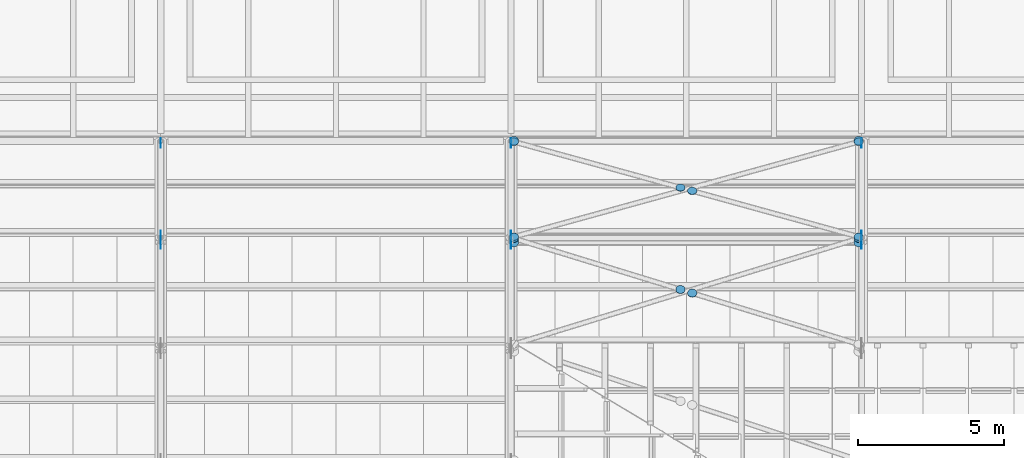
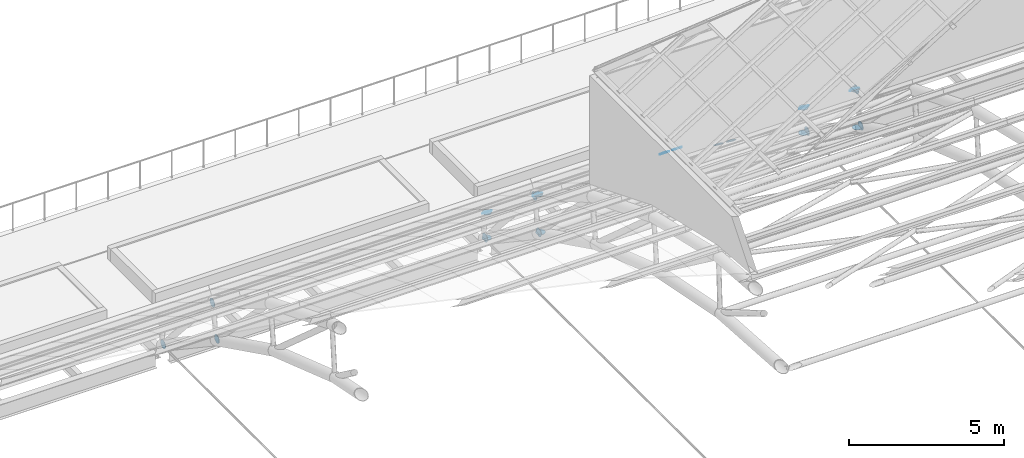
# One storey, part 94 of 110: 27 discrete accessories.
"""IFC4 building model written with IfcOpenShell, lengths in metres."""

from ifc_helpers import new_model, si_unit, direction, frame, origin, origin_2d, place, context, subcontext, project, spatial, circle, extrude, material, layer, layer_set, type_object, element, save


model = new_model("IFC4")

# Units and contexts
model_context = context("Model", 3, precision=1e-05, world=origin(), true_north=direction((0.0, 1.0)))
body_context = subcontext(model_context, "Body", "Model", "MODEL_VIEW")
ifc_project = project(units=[si_unit("LENGTHUNIT", "METRE"), si_unit("AREAUNIT", "SQUARE_METRE"), si_unit("VOLUMEUNIT", "CUBIC_METRE"), si_unit("PLANEANGLEUNIT", "RADIAN"), si_unit("MASSUNIT", "GRAM", prefix="KILO")], contexts=[model_context])

# Site, building, storey
site_placement = place(None, origin())
site = spatial("IfcSite", under=ifc_project, at=site_placement, CompositionType="ELEMENT")
building_placement = place(site_placement, origin())
building = spatial("IfcBuilding", under=site, at=building_placement, Name="Windward Yard Aquatics Centre", CompositionType="ELEMENT")
storey_placement = place(building_placement, frame((0.0, 0.0, 22.60009765625)))
storey = spatial("IfcBuildingStorey", under=building, at=storey_placement, Name="L05", CompositionType="ELEMENT", Elevation=22.60009765625)

# Discrete accessories
ifc_material = material(Name="Steel S355", Category="steel")
ifc_layer = layer(ifc_material, 0.011962890625)
ifc_layer_set = layer_set([ifc_layer], Name="Gusset plate 320 mm disc 12 mm")
discrete_accessory_type = type_object("IfcDiscreteAccessoryType", Name="Gusset plate 320 mm disc 12 mm", PredefinedType="USERDEFINED", material=ifc_layer_set)
for number, where, z_axis, x_axis, name in (
    (1, (83.993896484375, 76.865234375, 2.390869140625), (1.0, 0.0, 0.0), (0.0, 1.0, 0.0), "Gusset plate"),
    (2, (83.993896484375, 77.158935546875, 3.64306640625), (1.0, 0.0, 0.0), (0.0, 1.0, 0.0), "Gusset plate"),
    (3, (83.993896484375, 80.33349609375, 0.07470703125), (1.0, 0.0, 0.0), (0.0, 1.0, 0.0), "Gusset plate"),
    (4, (95.993896484375, 76.865234375, 2.390869140625), (1.0, 0.0, 0.0), (0.0, 1.0, 0.0), "Gusset plate"),
    (5, (95.993896484375, 77.158935546875, 3.64306640625), (1.0, 0.0, 0.0), (0.0, 1.0, 0.0), "Gusset plate"),
    (6, (95.993896484375, 80.33349609375, 0.07470703125), (1.0, 0.0, 0.0), (0.0, 1.0, 0.0), "Gusset plate"),
    (7, (107.993896484375, 76.865234375, 2.390869140625), (1.0, 0.0, 0.0), (0.0, 1.0, 0.0), "Gusset plate"),
    (8, (107.993896484375, 77.158935546875, 3.64306640625), (1.0, 0.0, 0.0), (0.0, 1.0, 0.0), "Gusset plate"),
    (9, (107.993896484375, 80.33349609375, 0.07470703125), (1.0, 0.0, 0.0), (0.0, 1.0, 0.0), "Gusset plate"),
):
    element("IfcDiscreteAccessory", number, at=place(storey_placement, frame(where, z_axis=z_axis, x_axis=x_axis)), inside=storey, type_object=discrete_accessory_type, Name=name, ObjectType="GUSSET PLATE", PredefinedType="USERDEFINED", context=body_context, shape_type="SweptSolid", body=[
        extrude(circle(Radius=0.159912109375, at=origin_2d()), origin(), (0.0, 0.0, 1.0), 0.01220703125),
    ])
for number, where, z_axis, x_axis, name in (
    (10, (96.10009765625, 77.092529296875, 3.7119140625), (0.0, 0.0, 1.0), (1.0, 0.0, 0.0), "Gusset plate"),
    (11, (107.89990234375, 77.092529296875, 3.7119140625), (0.0, 0.0, 1.0), (1.0, 0.0, 0.0), "Gusset plate"),
    (12, (96.10009765625, 80.39990234375, 0.993896484375), (0.0, 0.0, 1.0), (1.0, 0.0, 0.0), "Gusset plate"),
    (13, (107.89990234375, 80.39990234375, 0.993896484375), (0.0, 0.0, 1.0), (1.0, 0.0, 0.0), "Gusset plate"),
):
    element("IfcDiscreteAccessory", number, at=place(storey_placement, frame(where, z_axis=z_axis, x_axis=x_axis)), inside=storey, type_object=discrete_accessory_type, Name=name, ObjectType="GUSSET PLATE", PredefinedType="USERDEFINED", context=body_context, shape_type="SweptSolid", body=[
        extrude(circle(Radius=0.159912109375, at=origin_2d()), origin(), (0.0, 0.0, 1.0), 0.011962890625),
    ])
for number, where, z_axis, x_axis, name in (
    (14, (107.90576171875, 77.066650390625, 3.740234375), (0.0, -0.502620457375, -0.864507186684), (1.0, 0.0, 0.0), "Gusset plate"),
    (15, (96.09423828125, 77.066650390625, 3.740234375), (0.0, -0.502620457375, -0.864507186684), (1.0, 0.0, 0.0), "Gusset plate"),
):
    element("IfcDiscreteAccessory", number, at=place(storey_placement, frame(where, z_axis=z_axis, x_axis=x_axis)), inside=storey, type_object=discrete_accessory_type, Name=name, ObjectType="GUSSET PLATE", PredefinedType="USERDEFINED", context=body_context, shape_type="SweptSolid", body=[
        extrude(circle(Radius=0.159912109375, at=origin_2d()), origin(), (0.0, 0.0, 1.0), 0.01220703125),
    ])
discrete_accessory_1_placement = place(storey_placement, frame((101.79931640625, 75.315673828125, 4.77783203125), z_axis=(0.0, -0.511483859768, -0.85929288441), x_axis=(1.0, 0.0, 0.0)))
element("IfcDiscreteAccessory", 16, at=discrete_accessory_1_placement, inside=storey, type_object=discrete_accessory_type, Name="Gusset plate", ObjectType="GUSSET PLATE", PredefinedType="USERDEFINED", context=body_context, shape_type="SweptSolid", body=[
    extrude(circle(Radius=0.159912109375, at=origin_2d()), origin(), (0.0, 0.0, 1.0), 0.011962890625),
])
for number, where, z_axis, x_axis, name in (
    (17, (102.20068359375, 75.192626953125, 4.850830078125), (0.0, -0.502620457375, -0.864507186684), (1.0, 0.0, 0.0), "Gusset plate"),
    (18, (96.09423828125, 77.122314453125, 3.701171875), (0.0, -0.644135745783, -0.764911198117), (1.0, 0.0, 0.0), "Gusset plate"),
    (19, (107.90576171875, 80.3779296875, 1.02587890625), (0.0, -0.644135745783, -0.764911198117), (1.0, 0.0, 0.0), "Gusset plate"),
    (20, (96.09423828125, 80.3779296875, 1.02587890625), (0.0, -0.644135745783, -0.764911198117), (1.0, 0.0, 0.0), "Gusset plate"),
    (21, (101.79931640625, 78.805419921875, 2.318115234375), (0.0, -0.644135745783, -0.764911198117), (1.0, 0.0, 0.0), "Gusset plate"),
):
    element("IfcDiscreteAccessory", number, at=place(storey_placement, frame(where, z_axis=z_axis, x_axis=x_axis)), inside=storey, type_object=discrete_accessory_type, Name=name, ObjectType="GUSSET PLATE", PredefinedType="USERDEFINED", context=body_context, shape_type="SweptSolid", body=[
        extrude(circle(Radius=0.159912109375, at=origin_2d()), origin(), (0.0, 0.0, 1.0), 0.01220703125),
    ])
discrete_accessory_2_placement = place(storey_placement, frame((102.20068359375, 78.69482421875, 2.408935546875), z_axis=(0.0, -0.632126727472, -0.774865020772), x_axis=(1.0, 0.0, 0.0)))
element("IfcDiscreteAccessory", 22, at=discrete_accessory_2_placement, inside=storey, type_object=discrete_accessory_type, Name="Gusset plate", ObjectType="GUSSET PLATE", PredefinedType="USERDEFINED", context=body_context, shape_type="SweptSolid", body=[
    extrude(circle(Radius=0.159912109375, at=origin_2d()), origin(), (0.0, 0.0, 1.0), 0.011962890625),
])
discrete_accessory_3_placement = place(storey_placement, frame((107.90576171875, 77.122314453125, 3.701171875), z_axis=(0.0, -0.644135745783, -0.764911198117), x_axis=(1.0, 0.0, 0.0)))
element("IfcDiscreteAccessory", 23, at=discrete_accessory_3_placement, inside=storey, type_object=discrete_accessory_type, Name="Gusset plate", ObjectType="GUSSET PLATE", PredefinedType="USERDEFINED", context=body_context, shape_type="SweptSolid", body=[
    extrude(circle(Radius=0.159912109375, at=origin_2d()), origin(), (0.0, 0.0, 1.0), 0.01220703125),
])
for number, where, z_axis, x_axis, name in (
    (24, (96.10009765625, 76.935302734375, 2.313720703125), (0.0, 0.0, 1.0), (1.0, 0.0, 0.0), "Gusset plate"),
    (25, (107.89990234375, 76.935302734375, 2.313720703125), (0.0, 0.0, 1.0), (1.0, 0.0, 0.0), "Gusset plate"),
    (26, (96.10009765625, 80.39990234375, -0.006103515625), (0.0, 0.0, 1.0), (1.0, 0.0, 0.0), "Gusset plate"),
    (27, (107.89990234375, 80.39990234375, -0.006103515625), (0.0, 0.0, 1.0), (1.0, 0.0, 0.0), "Gusset plate"),
):
    element("IfcDiscreteAccessory", number, at=place(storey_placement, frame(where, z_axis=z_axis, x_axis=x_axis)), inside=storey, type_object=discrete_accessory_type, Name=name, ObjectType="GUSSET PLATE", PredefinedType="USERDEFINED", context=body_context, shape_type="SweptSolid", body=[
        extrude(circle(Radius=0.159912109375, at=origin_2d()), origin(), (0.0, 0.0, 1.0), 0.011962890625),
    ])

save(model, "model.ifc")
